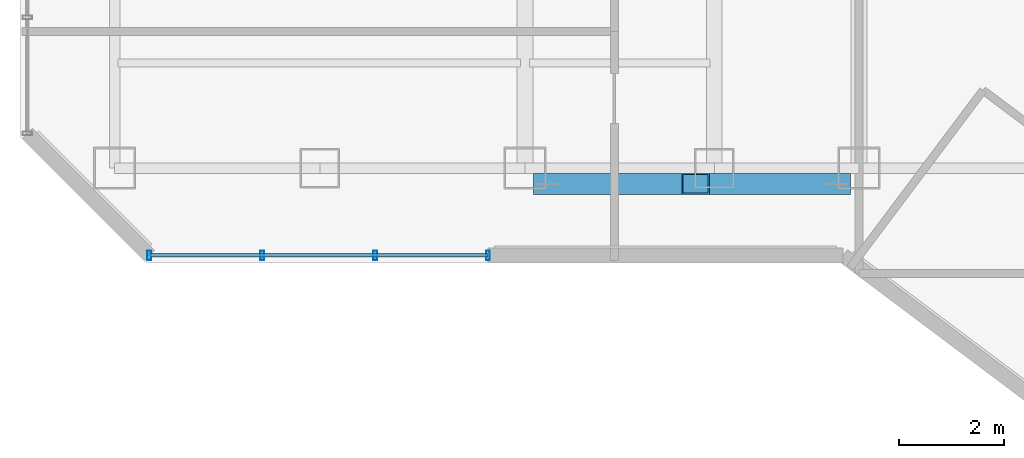
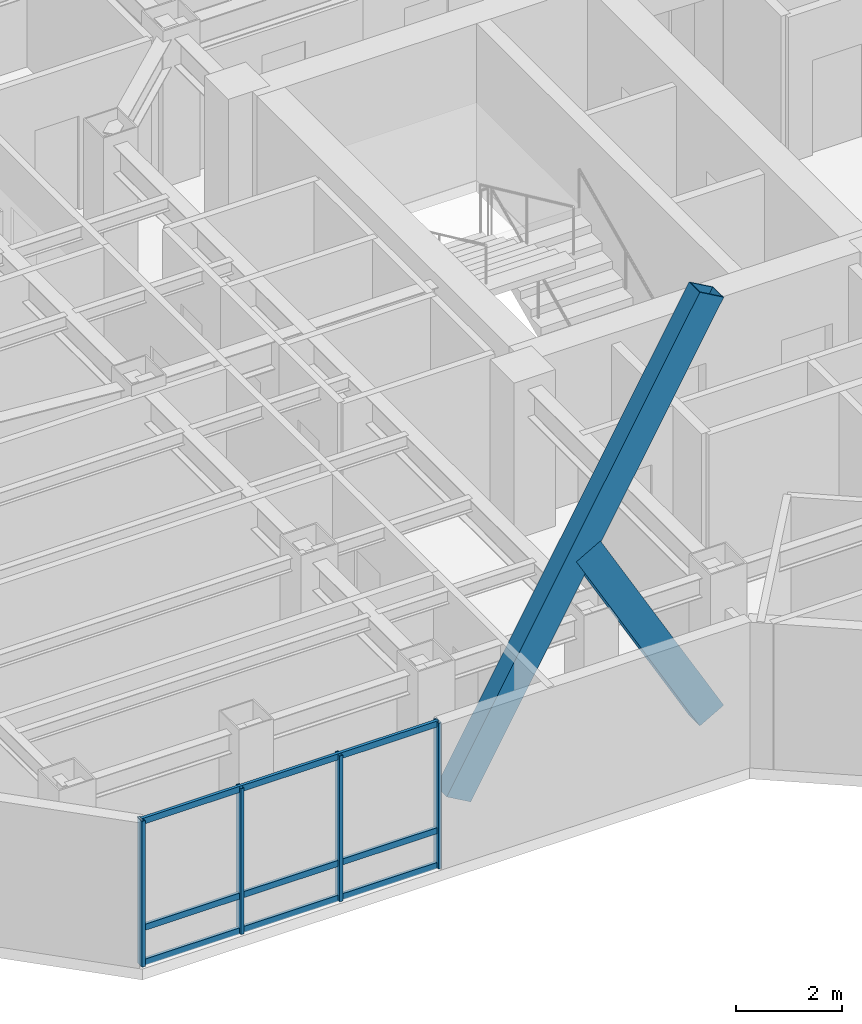
# One storey, part 2 of 27: 9 members, 1 element without a shape of its own.
"""IFC4 building model written with IfcOpenShell, lengths in metres."""

from ifc_helpers import new_model, si_unit, direction, frame, origin, origin_2d, place, context, subcontext, project, spatial, hollow_rectangle, extrude, material, layer, layer_set, material_profile, profile_set, type_object, element, aggregate, save


model = new_model("IFC4")

# Units and contexts
model_context = context("Model", 3, precision=1e-05, world=origin(), true_north=direction((0.0, 1.0)))
body_context = subcontext(model_context, "Body", "Model", "MODEL_VIEW")
ifc_project = project(units=[si_unit("LENGTHUNIT", "METRE"), si_unit("AREAUNIT", "SQUARE_METRE"), si_unit("VOLUMEUNIT", "CUBIC_METRE"), si_unit("PLANEANGLEUNIT", "RADIAN"), si_unit("MASSUNIT", "GRAM", prefix="KILO")], contexts=[model_context])

# Site, building, storey
site_placement = place(None, origin())
site = spatial("IfcSite", under=ifc_project, at=site_placement, CompositionType="ELEMENT")
building_placement = place(site_placement, origin())
building = spatial("IfcBuilding", under=site, at=building_placement, Name="Hatsunagi Terrace Concourse", CompositionType="ELEMENT")
storey_placement = place(building_placement, frame((0.0, 0.0, 167.25)))
storey = spatial("IfcBuildingStorey", under=building, at=storey_placement, Name="L44", CompositionType="ELEMENT", Elevation=167.25)

# Curtain wall, members
ifc_material_1 = material(Name="Anodised Aluminium Alloy 6063-T5", Category="aluminium")
ifc_layer = layer(ifc_material_1, 0.199951171875)
ifc_layer_set = layer_set([ifc_layer], Name="OfficeZone1_CW03")
curtain_wall_type = type_object("IfcCurtainWallType", Name="OfficeZone1_CW03", PredefinedType="NOTDEFINED", material=ifc_layer_set)
curtain_wall_placement = place(storey_placement, origin())
curtain_wall = element("IfcCurtainWall", 1, at=curtain_wall_placement, inside=storey, type_object=curtain_wall_type, Name="Unitised Curtain Wall CW-03 CW-L44-07", PredefinedType="NOTDEFINED")
ifc_material_2 = material(Name="Anodised Aluminium Alloy 6063-T5", Category="aluminium")
ifc_material_profile_1 = material_profile(ifc_material_2, hollow_rectangle(XDim=0.070068359375, YDim=0.179931640625, WallThickness=0.00390625, at=origin_2d()), Name="ALU-MUL-180x70x4")
ifc_profile_set_1 = profile_set([ifc_material_profile_1], Name="Anodised Aluminium Alloy 6063-T5")
member_type_1 = type_object("IfcMemberType", Name="CurtainWallMullion_180x70", PredefinedType="MULLION", material=ifc_profile_set_1)
member_1_placement = place(storey_placement, frame((18.5, 23.5400390625, 0.0), z_axis=(0.0, 0.0, 1.0), x_axis=(-1.0, 0.0, 0.0)))
member_1 = element("IfcMember", 2, at=member_1_placement, type_object=member_type_1, Name="Curtain Wall Mullion MUL-02", PredefinedType="MULLION", context=body_context, shape_type="SweptSolid", body=[
    extrude(hollow_rectangle(XDim=0.070068359375, YDim=0.179931640625, WallThickness=0.00390625, at=origin_2d()), origin(), (0.0, 0.0, 1.0), 3.35009765625),
])
member_2_placement = place(storey_placement, frame((16.35302734375, 23.5400390625, 0.0), z_axis=(0.0, 0.0, 1.0), x_axis=(-1.0, 0.0, 0.0)))
member_2 = element("IfcMember", 3, at=member_2_placement, type_object=member_type_1, Name="Curtain Wall Mullion MUL-02", PredefinedType="MULLION", context=body_context, shape_type="SweptSolid", body=[
    extrude(hollow_rectangle(XDim=0.070068359375, YDim=0.179931640625, WallThickness=0.00390625, at=origin_2d()), origin(), (0.0, 0.0, 1.0), 3.35009765625),
])
member_3_placement = place(storey_placement, frame((14.205078125, 23.5400390625, 0.0), z_axis=(0.0, 0.0, 1.0), x_axis=(-1.0, 0.0, 0.0)))
member_3 = element("IfcMember", 4, at=member_3_placement, type_object=member_type_1, Name="Curtain Wall Mullion MUL-02", PredefinedType="MULLION", context=body_context, shape_type="SweptSolid", body=[
    extrude(hollow_rectangle(XDim=0.070068359375, YDim=0.179931640625, WallThickness=0.00390625, at=origin_2d()), origin(), (0.0, 0.0, 1.0), 3.35009765625),
])
member_4_placement = place(storey_placement, frame((12.05810546875, 23.5400390625, 0.0), z_axis=(0.0, 0.0, 1.0), x_axis=(-1.0, 0.0, 0.0)))
member_4 = element("IfcMember", 5, at=member_4_placement, type_object=member_type_1, Name="Curtain Wall Mullion MUL-02", PredefinedType="MULLION", context=body_context, shape_type="SweptSolid", body=[
    extrude(hollow_rectangle(XDim=0.070068359375, YDim=0.179931640625, WallThickness=0.00390625, at=origin_2d()), origin(), (0.0, 0.0, 1.0), 3.35009765625),
])
ifc_material_3 = material(Name="Anodised Aluminium Alloy 6063-T5", Category="aluminium")
ifc_material_profile_2 = material_profile(ifc_material_3, hollow_rectangle(XDim=0.06494140625, YDim=0.139892578125, WallThickness=0.00390625, at=origin_2d()), Name="ALU-TRN-140x65x4")
ifc_profile_set_2 = profile_set([ifc_material_profile_2], Name="Anodised Aluminium Alloy 6063-T5")
member_type_2 = type_object("IfcMemberType", Name="CurtainWallTransom_140x65", PredefinedType="USERDEFINED", material=ifc_profile_set_2)
member_5_placement = place(storey_placement, frame((18.5, 23.5400390625, 0.050048828125), z_axis=(-1.0, 0.0, 0.0), x_axis=(0.0, -1.0, 0.0)))
member_5 = element("IfcMember", 6, at=member_5_placement, type_object=member_type_2, Name="Curtain Wall Transom TRN-02", ObjectType="TRANSOM", PredefinedType="USERDEFINED", context=body_context, shape_type="SweptSolid", body=[
    extrude(hollow_rectangle(XDim=0.06494140625, YDim=0.139892578125, WallThickness=0.00390625, at=origin_2d()), origin(), (0.0, 0.0, 1.0), 6.44189453125),
])
member_6_placement = place(storey_placement, frame((18.5, 23.5400390625, 0.85009765625), z_axis=(-1.0, 0.0, 0.0), x_axis=(0.0, -1.0, 0.0)))
member_6 = element("IfcMember", 7, at=member_6_placement, type_object=member_type_2, Name="Curtain Wall Transom TRN-02", ObjectType="TRANSOM", PredefinedType="USERDEFINED", context=body_context, shape_type="SweptSolid", body=[
    extrude(hollow_rectangle(XDim=0.06494140625, YDim=0.139892578125, WallThickness=0.00390625, at=origin_2d()), origin(), (0.0, 0.0, 1.0), 6.44189453125),
])
member_7_placement = place(storey_placement, frame((18.5, 23.5400390625, 3.300048828125), z_axis=(-1.0, 0.0, 0.0), x_axis=(0.0, -1.0, 0.0)))
member_7 = element("IfcMember", 8, at=member_7_placement, type_object=member_type_2, Name="Curtain Wall Transom TRN-02", ObjectType="TRANSOM", PredefinedType="USERDEFINED", context=body_context, shape_type="SweptSolid", body=[
    extrude(hollow_rectangle(XDim=0.06494140625, YDim=0.139892578125, WallThickness=0.00390625, at=origin_2d()), origin(), (0.0, 0.0, 1.0), 6.44189453125),
])
aggregate(curtain_wall, [member_1, member_2, member_3, member_4, member_5, member_6, member_7])

# Members
ifc_material_4 = material(Name="Steel SN490B", Category="steel")
ifc_material_profile_3 = material_profile(ifc_material_4, hollow_rectangle(XDim=0.39990234375, YDim=0.60009765625, WallThickness=0.02490234375, at=origin_2d()), Name="RHS-600x400x25")
ifc_profile_set_3 = profile_set([ifc_material_profile_3], Name="Steel SN490B")
member_type_3 = type_object("IfcMemberType", Name="PerimeterXBrace_Mid_RHS_600x400x25", PredefinedType="BRACE", material=ifc_profile_set_3)
member_8_placement = place(storey_placement, frame((19.625, 24.89990234375, 0.43994140625), z_axis=(0.494389041421, 0.0, 0.8692407467), x_axis=(0.0, 1.0, 0.0)))
element("IfcMember", 9, at=member_8_placement, inside=storey, type_object=member_type_3, Name="Perimeter X-Brace XB-02 XB-L44-W1A", PredefinedType="BRACE", context=body_context, shape_type="SweptSolid", body=[
    extrude(hollow_rectangle(XDim=0.39990234375, YDim=0.60009765625, WallThickness=0.02490234375, at=origin_2d()), origin(), (0.0, 0.0, 1.0), 11.124755859375),
])
member_9_placement = place(storey_placement, frame((22.444091796875, 24.89990234375, 5.153076171875), z_axis=(0.494426308066, 0.0, -0.869219549879), x_axis=(0.0, 1.0, 0.0)))
element("IfcMember", 10, at=member_9_placement, inside=storey, type_object=member_type_3, Name="Perimeter X-Brace Split Lower XB-02 XB-L44-W1B2", PredefinedType="BRACE", context=body_context, shape_type="SweptSolid", body=[
    extrude(hollow_rectangle(XDim=0.39990234375, YDim=0.60009765625, WallThickness=0.02490234375, at=origin_2d()), origin(), (0.0, 0.0, 1.0), 5.42236328125),
])

save(model, "model.ifc")
